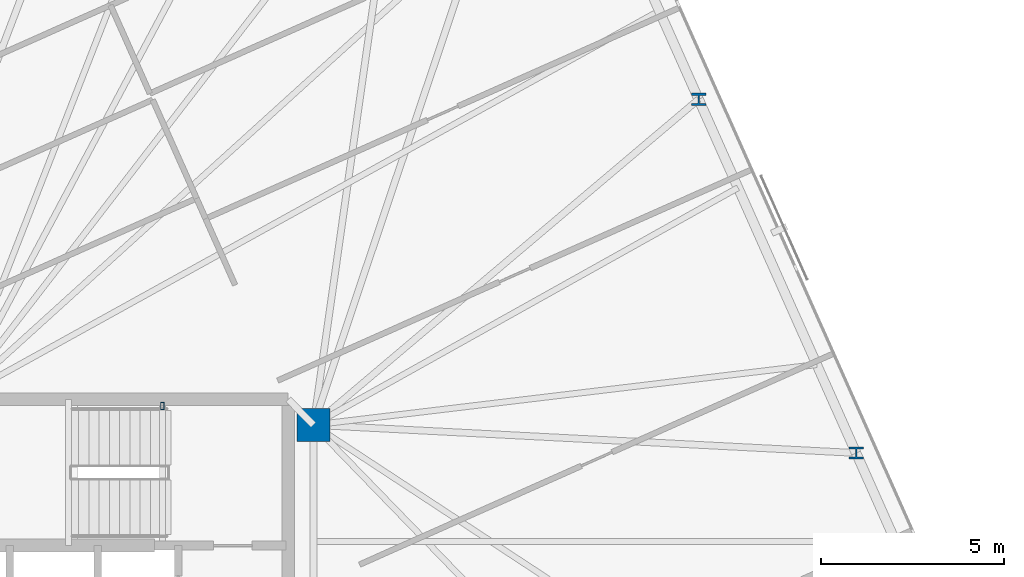
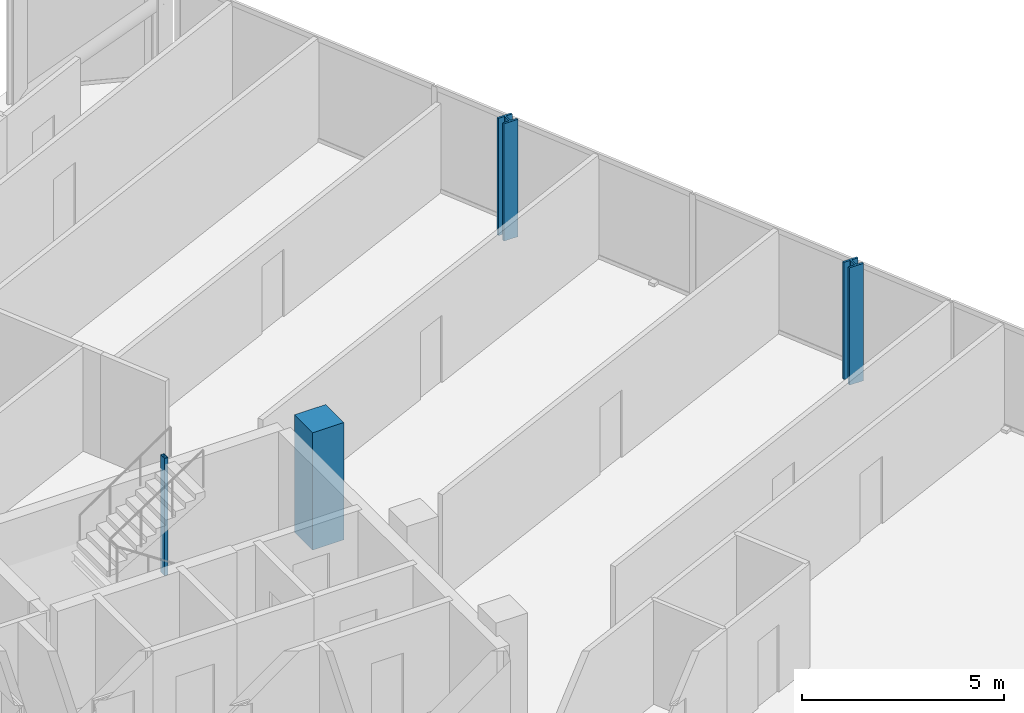
# One storey, part 3 of 19: 4 columns.
"""IFC4 building model written with IfcOpenShell, lengths in metres."""

from ifc_helpers import new_model, si_unit, direction, frame, origin, origin_2d, place, context, subcontext, project, spatial, rectangle, hollow_rectangle, i_section, extrude, material, material_profile, profile_set, type_object, element, save


model = new_model("IFC4")

# Units and contexts
model_context = context("Model", 3, precision=1e-05, world=origin(), true_north=direction((0.0, 1.0)))
body_context = subcontext(model_context, "Body", "Model", "MODEL_VIEW")
ifc_project = project(units=[si_unit("LENGTHUNIT", "METRE"), si_unit("AREAUNIT", "SQUARE_METRE"), si_unit("VOLUMEUNIT", "CUBIC_METRE"), si_unit("PLANEANGLEUNIT", "RADIAN"), si_unit("MASSUNIT", "GRAM", prefix="KILO")], contexts=[model_context])

# Site, building, storey
site_placement = place(None, origin())
site = spatial("IfcSite", under=ifc_project, at=site_placement, CompositionType="ELEMENT")
building_placement = place(site_placement, origin())
building = spatial("IfcBuilding", under=site, at=building_placement, Name="Menara Jurai Vektor", CompositionType="ELEMENT")
storey_placement = place(building_placement, frame((0.0, 0.0, 302.0)))
storey = spatial("IfcBuildingStorey", under=building, at=storey_placement, Name="L81", CompositionType="ELEMENT", Elevation=302.0)

# Columns
ifc_material_1 = material(Name="Concrete C50/60", Category="concrete")
ifc_material_profile_1 = material_profile(ifc_material_1, rectangle(XDim=0.89990234375, YDim=0.89990234375, at=origin_2d()), Name="RC 900x900")
ifc_profile_set_1 = profile_set([ifc_material_profile_1], Name="Concrete C50/60")
column_type_1 = type_object("IfcColumnType", Name="STR-COL-RC900", PredefinedType="COLUMN", material=ifc_profile_set_1)
column_1_placement = place(storey_placement, frame((15.25, 4.89990234375, 0.0), z_axis=(0.0, 0.0, 1.0), x_axis=(1.0, 0.0, 0.0)))
element("IfcColumn", 1, at=column_1_placement, inside=storey, type_object=column_type_1, Name="Core Spine Column CE-NE L81", PredefinedType="COLUMN", context=body_context, shape_type="SweptSolid", body=[
    extrude(rectangle(XDim=0.89990234375, YDim=0.89990234375, at=origin_2d()), origin(), (0.0, 0.0, 1.0), 3.550048828125),
])
ifc_material_2 = material(Name="Steel S355", Category="steel")
ifc_material_profile_2 = material_profile(ifc_material_2, hollow_rectangle(XDim=0.10009765625, YDim=0.199951171875, WallThickness=0.008056640625, at=origin_2d()), Name="RHS 200x100x8")
ifc_profile_set_2 = profile_set([ifc_material_profile_2], Name="Steel S355")
column_type_2 = type_object("IfcColumnType", Name="STR-COL-STAIR", PredefinedType="COLUMN", material=ifc_profile_set_2)
column_2_placement = place(storey_placement, frame((11.1201171875, 5.419921875, 0.0), z_axis=(0.0, 0.0, 1.0), x_axis=(1.0, 0.0, 0.0)))
element("IfcColumn", 2, at=column_2_placement, inside=storey, type_object=column_type_2, Name="Stair Well Header Column ST2-P2 L81", PredefinedType="COLUMN", context=body_context, shape_type="SweptSolid", body=[
    extrude(hollow_rectangle(XDim=0.10009765625, YDim=0.199951171875, WallThickness=0.008056640625, at=origin_2d()), origin(), (0.0, 0.0, 1.0), 3.550048828125),
])
ifc_material_3 = material(Name="Steel S460", Category="steel")
ifc_material_profile_3 = material_profile(ifc_material_3, i_section(OverallWidth=0.40087890625, OverallDepth=0.3349609375, WebThickness=0.035888671875, FlangeThickness=0.05810546875, FilletRadius=0.014892578125, at=origin_2d()), Name="HD 400x463")
ifc_profile_set_3 = profile_set([ifc_material_profile_3], Name="Steel S460")
column_type_3 = type_object("IfcColumnType", Name="STR-EXO-BLK5", PredefinedType="COLUMN", material=ifc_profile_set_3)
for number, where, z_axis, x_axis, name in (
    (3, (30.086181640625, 4.13330078125, 0.0), (0.0, 0.0, 1.0), (1.0, 0.0, 0.0), "Exoskeleton Column BLK5-E2 L81"),
    (4, (25.781005859375, 13.80322265625, 0.0), (0.0, 0.0, 1.0), (1.0, 0.0, 0.0), "Exoskeleton Column BLK5-E3 L81"),
):
    element("IfcColumn", number, at=place(storey_placement, frame(where, z_axis=z_axis, x_axis=x_axis)), inside=storey, type_object=column_type_3, Name=name, PredefinedType="COLUMN", context=body_context, shape_type="SweptSolid", body=[
        extrude(i_section(OverallWidth=0.40087890625, OverallDepth=0.3349609375, WebThickness=0.035888671875, FlangeThickness=0.05810546875, FilletRadius=0.014892578125, at=origin_2d()), origin(), (0.0, 0.0, 1.0), 3.550048828125),
    ])

save(model, "model.ifc")
